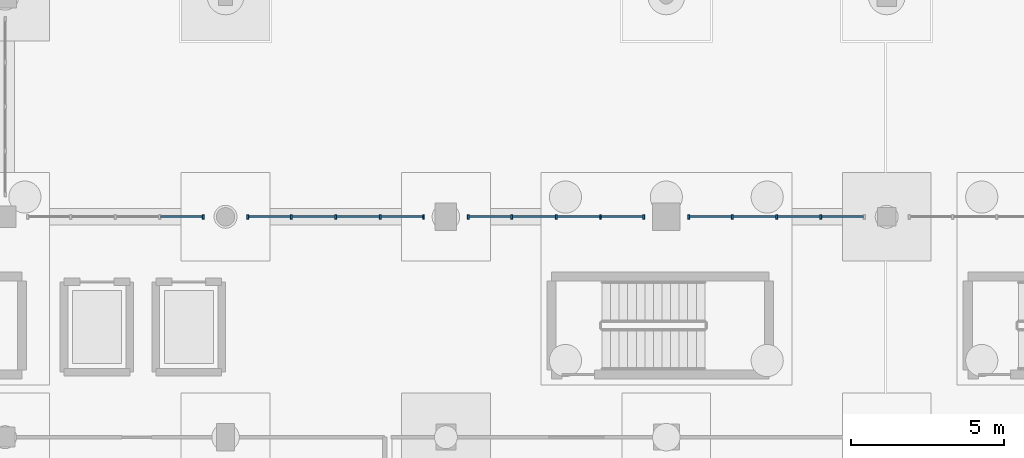
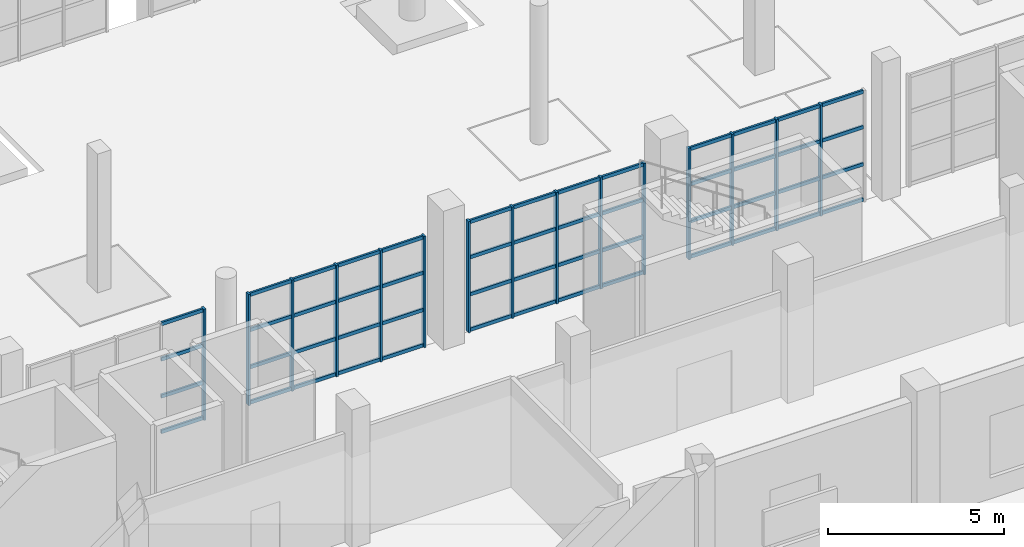
# One storey, part 110 of 285: 67 members, 4 elements without a shape of their own.
"""IFC4 building model written with IfcOpenShell, lengths in metres."""

from ifc_helpers import new_model, si_unit, direction, frame, origin, origin_2d, place, context, subcontext, project, spatial, rectangle, extrude, material, material_profile, profile_set, type_object, element, aggregate, save


model = new_model("IFC4")

# Units and contexts
model_context = context("Model", 3, precision=1e-05, world=origin(), true_north=direction((0.0, 1.0)))
body_context = subcontext(model_context, "Body", "Model", "MODEL_VIEW")
ifc_project = project(units=[si_unit("LENGTHUNIT", "METRE"), si_unit("AREAUNIT", "SQUARE_METRE"), si_unit("VOLUMEUNIT", "CUBIC_METRE"), si_unit("PLANEANGLEUNIT", "RADIAN"), si_unit("MASSUNIT", "GRAM", prefix="KILO")], contexts=[model_context])

# Site, building, storey
site_placement = place(None, origin())
site = spatial("IfcSite", under=ifc_project, at=site_placement, CompositionType="ELEMENT")
building_placement = place(site_placement, origin())
building = spatial("IfcBuilding", under=site, at=building_placement, Name="Solanera Park Tramway Depot", CompositionType="ELEMENT")
storey_placement = place(building_placement, origin())
storey = spatial("IfcBuildingStorey", under=building, at=storey_placement, Name="L00", CompositionType="ELEMENT", Elevation=0.0)

# Curtain wall, member
ifc_material_1 = material(Name="Bronze-anodised thermally broken aluminium curtain wall", Category="aluminium")
curtain_wall_type = type_object("IfcCurtainWallType", Name="Courtyard Cloister Unitised Curtain Wall", PredefinedType="NOTDEFINED", material=ifc_material_1)
curtain_wall_1_placement = place(storey_placement, origin())
curtain_wall_1 = element("IfcCurtainWall", 1, at=curtain_wall_1_placement, inside=storey, type_object=curtain_wall_type, Name="L00 Courtyard Cloister Unitised Curtain Wall #072", PredefinedType="NOTDEFINED")
ifc_material_2 = material(Name="Bronze-anodised structural aluminium 6063-T6", Category="aluminium")
ifc_material_profile_1 = material_profile(ifc_material_2, rectangle(XDim=0.06494140625, YDim=0.14990234375, at=origin_2d()), Name="Curtain Wall Mullion 65x150")
ifc_profile_set_1 = profile_set([ifc_material_profile_1], Name="Bronze-anodised structural aluminium 6063-T6")
member_type_1 = type_object("IfcMemberType", Name="Curtain Wall Mullion 65x150", PredefinedType="MULLION", material=ifc_profile_set_1)
member_1_placement = place(storey_placement, frame((128.867431640625, 25.199951171875, 0.0), z_axis=(0.0, 0.0, 1.0), x_axis=(1.0, 0.0, 0.0)))
member_1 = element("IfcMember", 2, at=member_1_placement, type_object=member_type_1, Name="CW-L00-072 Mullion 5", PredefinedType="MULLION", context=body_context, shape_type="SweptSolid", body=[
    extrude(rectangle(XDim=0.06494140625, YDim=0.14990234375, at=origin_2d()), origin(), (0.0, 0.0, 1.0), 3.85009765625),
])

# Curtain wall, members
curtain_wall_2_placement = place(storey_placement, origin())
curtain_wall_2 = element("IfcCurtainWall", 3, at=curtain_wall_2_placement, inside=storey, type_object=curtain_wall_type, Name="L00 Courtyard Cloister Unitised Curtain Wall #073", PredefinedType="NOTDEFINED")
member_2_placement = place(storey_placement, frame((130.33251953125, 25.199951171875, 0.0), z_axis=(0.0, 0.0, 1.0), x_axis=(1.0, 0.0, 0.0)))
member_2 = element("IfcMember", 4, at=member_2_placement, type_object=member_type_1, Name="CW-L00-073 Mullion 1", PredefinedType="MULLION", context=body_context, shape_type="SweptSolid", body=[
    extrude(rectangle(XDim=0.06494140625, YDim=0.14990234375, at=origin_2d()), origin(), (0.0, 0.0, 1.0), 3.85009765625),
])
member_3_placement = place(storey_placement, frame((131.75, 25.199951171875, 0.0), z_axis=(0.0, 0.0, 1.0), x_axis=(1.0, 0.0, 0.0)))
member_3 = element("IfcMember", 5, at=member_3_placement, type_object=member_type_1, Name="CW-L00-073 Mullion 2", PredefinedType="MULLION", context=body_context, shape_type="SweptSolid", body=[
    extrude(rectangle(XDim=0.06494140625, YDim=0.14990234375, at=origin_2d()), origin(), (0.0, 0.0, 1.0), 3.85009765625),
])
member_4_placement = place(storey_placement, frame((133.199951171875, 25.199951171875, 0.0), z_axis=(0.0, 0.0, 1.0), x_axis=(1.0, 0.0, 0.0)))
member_4 = element("IfcMember", 6, at=member_4_placement, type_object=member_type_1, Name="CW-L00-073 Mullion 3", PredefinedType="MULLION", context=body_context, shape_type="SweptSolid", body=[
    extrude(rectangle(XDim=0.06494140625, YDim=0.14990234375, at=origin_2d()), origin(), (0.0, 0.0, 1.0), 3.85009765625),
])
member_5_placement = place(storey_placement, frame((134.64990234375, 25.199951171875, 0.0), z_axis=(0.0, 0.0, 1.0), x_axis=(1.0, 0.0, 0.0)))
member_5 = element("IfcMember", 7, at=member_5_placement, type_object=member_type_1, Name="CW-L00-073 Mullion 4", PredefinedType="MULLION", context=body_context, shape_type="SweptSolid", body=[
    extrude(rectangle(XDim=0.06494140625, YDim=0.14990234375, at=origin_2d()), origin(), (0.0, 0.0, 1.0), 3.85009765625),
])
member_6_placement = place(storey_placement, frame((136.0673828125, 25.199951171875, 0.0), z_axis=(0.0, 0.0, 1.0), x_axis=(1.0, 0.0, 0.0)))
member_6 = element("IfcMember", 8, at=member_6_placement, type_object=member_type_1, Name="CW-L00-073 Mullion 5", PredefinedType="MULLION", context=body_context, shape_type="SweptSolid", body=[
    extrude(rectangle(XDim=0.06494140625, YDim=0.14990234375, at=origin_2d()), origin(), (0.0, 0.0, 1.0), 3.85009765625),
])

curtain_wall_3_placement = place(storey_placement, origin())
curtain_wall_3 = element("IfcCurtainWall", 9, at=curtain_wall_3_placement, inside=storey, type_object=curtain_wall_type, Name="L00 Courtyard Cloister Unitised Curtain Wall #074", PredefinedType="NOTDEFINED")
member_7_placement = place(storey_placement, frame((137.532470703125, 25.199951171875, 0.0), z_axis=(0.0, 0.0, 1.0), x_axis=(1.0, 0.0, 0.0)))
member_7 = element("IfcMember", 10, at=member_7_placement, type_object=member_type_1, Name="CW-L00-074 Mullion 1", PredefinedType="MULLION", context=body_context, shape_type="SweptSolid", body=[
    extrude(rectangle(XDim=0.06494140625, YDim=0.14990234375, at=origin_2d()), origin(), (0.0, 0.0, 1.0), 3.85009765625),
])
member_8_placement = place(storey_placement, frame((138.949951171875, 25.199951171875, 0.0), z_axis=(0.0, 0.0, 1.0), x_axis=(1.0, 0.0, 0.0)))
member_8 = element("IfcMember", 11, at=member_8_placement, type_object=member_type_1, Name="CW-L00-074 Mullion 2", PredefinedType="MULLION", context=body_context, shape_type="SweptSolid", body=[
    extrude(rectangle(XDim=0.06494140625, YDim=0.14990234375, at=origin_2d()), origin(), (0.0, 0.0, 1.0), 3.85009765625),
])
member_9_placement = place(storey_placement, frame((140.39990234375, 25.199951171875, 0.0), z_axis=(0.0, 0.0, 1.0), x_axis=(1.0, 0.0, 0.0)))
member_9 = element("IfcMember", 12, at=member_9_placement, type_object=member_type_1, Name="CW-L00-074 Mullion 3", PredefinedType="MULLION", context=body_context, shape_type="SweptSolid", body=[
    extrude(rectangle(XDim=0.06494140625, YDim=0.14990234375, at=origin_2d()), origin(), (0.0, 0.0, 1.0), 3.85009765625),
])
member_10_placement = place(storey_placement, frame((141.85009765625, 25.199951171875, 0.0), z_axis=(0.0, 0.0, 1.0), x_axis=(1.0, 0.0, 0.0)))
member_10 = element("IfcMember", 13, at=member_10_placement, type_object=member_type_1, Name="CW-L00-074 Mullion 4", PredefinedType="MULLION", context=body_context, shape_type="SweptSolid", body=[
    extrude(rectangle(XDim=0.06494140625, YDim=0.14990234375, at=origin_2d()), origin(), (0.0, 0.0, 1.0), 3.85009765625),
])
member_11_placement = place(storey_placement, frame((143.267578125, 25.199951171875, 0.0), z_axis=(0.0, 0.0, 1.0), x_axis=(1.0, 0.0, 0.0)))
member_11 = element("IfcMember", 14, at=member_11_placement, type_object=member_type_1, Name="CW-L00-074 Mullion 5", PredefinedType="MULLION", context=body_context, shape_type="SweptSolid", body=[
    extrude(rectangle(XDim=0.06494140625, YDim=0.14990234375, at=origin_2d()), origin(), (0.0, 0.0, 1.0), 3.85009765625),
])

curtain_wall_4_placement = place(storey_placement, origin())
curtain_wall_4 = element("IfcCurtainWall", 15, at=curtain_wall_4_placement, inside=storey, type_object=curtain_wall_type, Name="L00 Courtyard Cloister Unitised Curtain Wall #075", PredefinedType="NOTDEFINED")
member_12_placement = place(storey_placement, frame((144.732421875, 25.199951171875, 0.0), z_axis=(0.0, 0.0, 1.0), x_axis=(1.0, 0.0, 0.0)))
member_12 = element("IfcMember", 16, at=member_12_placement, type_object=member_type_1, Name="CW-L00-075 Mullion 1", PredefinedType="MULLION", context=body_context, shape_type="SweptSolid", body=[
    extrude(rectangle(XDim=0.06494140625, YDim=0.14990234375, at=origin_2d()), origin(), (0.0, 0.0, 1.0), 3.85009765625),
])
member_13_placement = place(storey_placement, frame((146.14990234375, 25.199951171875, 0.0), z_axis=(0.0, 0.0, 1.0), x_axis=(1.0, 0.0, 0.0)))
member_13 = element("IfcMember", 17, at=member_13_placement, type_object=member_type_1, Name="CW-L00-075 Mullion 2", PredefinedType="MULLION", context=body_context, shape_type="SweptSolid", body=[
    extrude(rectangle(XDim=0.06494140625, YDim=0.14990234375, at=origin_2d()), origin(), (0.0, 0.0, 1.0), 3.85009765625),
])
member_14_placement = place(storey_placement, frame((147.60009765625, 25.199951171875, 0.0), z_axis=(0.0, 0.0, 1.0), x_axis=(1.0, 0.0, 0.0)))
member_14 = element("IfcMember", 18, at=member_14_placement, type_object=member_type_1, Name="CW-L00-075 Mullion 3", PredefinedType="MULLION", context=body_context, shape_type="SweptSolid", body=[
    extrude(rectangle(XDim=0.06494140625, YDim=0.14990234375, at=origin_2d()), origin(), (0.0, 0.0, 1.0), 3.85009765625),
])
member_15_placement = place(storey_placement, frame((149.050048828125, 25.199951171875, 0.0), z_axis=(0.0, 0.0, 1.0), x_axis=(1.0, 0.0, 0.0)))
member_15 = element("IfcMember", 19, at=member_15_placement, type_object=member_type_1, Name="CW-L00-075 Mullion 4", PredefinedType="MULLION", context=body_context, shape_type="SweptSolid", body=[
    extrude(rectangle(XDim=0.06494140625, YDim=0.14990234375, at=origin_2d()), origin(), (0.0, 0.0, 1.0), 3.85009765625),
])

# Member
ifc_material_3 = material(Name="Bronze-anodised structural aluminium 6063-T6", Category="aluminium")
ifc_material_profile_2 = material_profile(ifc_material_3, rectangle(XDim=0.06494140625, YDim=0.1201171875, at=origin_2d()), Name="Curtain Wall Transom 65x120")
ifc_profile_set_2 = profile_set([ifc_material_profile_2], Name="Bronze-anodised structural aluminium 6063-T6")
member_type_2 = type_object("IfcMemberType", Name="Curtain Wall Transom 65x120", PredefinedType="USERDEFINED", material=ifc_profile_set_2)
member_16_placement = place(storey_placement, frame((127.47802734375, 25.199951171875, 0.06005859375), z_axis=(1.0, 0.0, 0.0), x_axis=(0.0, 1.0, 0.0)))
member_16 = element("IfcMember", 20, at=member_16_placement, type_object=member_type_2, Name="CW-L00-072 Transom R1.C4", ObjectType="TRANSOM", PredefinedType="USERDEFINED", context=body_context, shape_type="SweptSolid", body=[
    extrude(rectangle(XDim=0.06494140625, YDim=0.1201171875, at=origin_2d()), origin(), (0.0, 0.0, 1.0), 1.361572265625),
])

member_17_placement = place(storey_placement, frame((127.47802734375, 25.199951171875, 1.283203125), z_axis=(1.0, 0.0, 0.0), x_axis=(0.0, 1.0, 0.0)))
member_17 = element("IfcMember", 21, at=member_17_placement, type_object=member_type_2, Name="CW-L00-072 Transom R2.C4", ObjectType="TRANSOM", PredefinedType="USERDEFINED", context=body_context, shape_type="SweptSolid", body=[
    extrude(rectangle(XDim=0.06494140625, YDim=0.1201171875, at=origin_2d()), origin(), (0.0, 0.0, 1.0), 1.361572265625),
])

member_18_placement = place(storey_placement, frame((127.47802734375, 25.199951171875, 2.566650390625), z_axis=(1.0, 0.0, 0.0), x_axis=(0.0, 1.0, 0.0)))
member_18 = element("IfcMember", 22, at=member_18_placement, type_object=member_type_2, Name="CW-L00-072 Transom R3.C4", ObjectType="TRANSOM", PredefinedType="USERDEFINED", context=body_context, shape_type="SweptSolid", body=[
    extrude(rectangle(XDim=0.06494140625, YDim=0.1201171875, at=origin_2d()), origin(), (0.0, 0.0, 1.0), 1.361572265625),
])

member_19_placement = place(storey_placement, frame((127.47802734375, 25.199951171875, 3.7900390625), z_axis=(1.0, 0.0, 0.0), x_axis=(0.0, 1.0, 0.0)))
member_19 = element("IfcMember", 23, at=member_19_placement, type_object=member_type_2, Name="CW-L00-072 Transom R4.C4", ObjectType="TRANSOM", PredefinedType="USERDEFINED", context=body_context, shape_type="SweptSolid", body=[
    extrude(rectangle(XDim=0.06494140625, YDim=0.1201171875, at=origin_2d()), origin(), (0.0, 0.0, 1.0), 1.361572265625),
])

aggregate(curtain_wall_1, [member_1, member_16, member_17, member_18, member_19])

member_20_placement = place(storey_placement, frame((130.360595703125, 25.199951171875, 0.06005859375), z_axis=(1.0, 0.0, 0.0), x_axis=(0.0, 1.0, 0.0)))
member_20 = element("IfcMember", 24, at=member_20_placement, type_object=member_type_2, Name="CW-L00-073 Transom R1.C1", ObjectType="TRANSOM", PredefinedType="USERDEFINED", context=body_context, shape_type="SweptSolid", body=[
    extrude(rectangle(XDim=0.06494140625, YDim=0.1201171875, at=origin_2d()), origin(), (0.0, 0.0, 1.0), 1.361328125),
])

member_21_placement = place(storey_placement, frame((131.778076171875, 25.199951171875, 0.06005859375), z_axis=(1.0, 0.0, 0.0), x_axis=(0.0, 1.0, 0.0)))
member_21 = element("IfcMember", 25, at=member_21_placement, type_object=member_type_2, Name="CW-L00-073 Transom R1.C2", ObjectType="TRANSOM", PredefinedType="USERDEFINED", context=body_context, shape_type="SweptSolid", body=[
    extrude(rectangle(XDim=0.06494140625, YDim=0.1201171875, at=origin_2d()), origin(), (0.0, 0.0, 1.0), 1.39404296875),
])

member_22_placement = place(storey_placement, frame((133.22802734375, 25.199951171875, 0.06005859375), z_axis=(1.0, 0.0, 0.0), x_axis=(0.0, 1.0, 0.0)))
member_22 = element("IfcMember", 26, at=member_22_placement, type_object=member_type_2, Name="CW-L00-073 Transom R1.C3", ObjectType="TRANSOM", PredefinedType="USERDEFINED", context=body_context, shape_type="SweptSolid", body=[
    extrude(rectangle(XDim=0.06494140625, YDim=0.1201171875, at=origin_2d()), origin(), (0.0, 0.0, 1.0), 1.39404296875),
])

member_23_placement = place(storey_placement, frame((134.677978515625, 25.199951171875, 0.06005859375), z_axis=(1.0, 0.0, 0.0), x_axis=(0.0, 1.0, 0.0)))
member_23 = element("IfcMember", 27, at=member_23_placement, type_object=member_type_2, Name="CW-L00-073 Transom R1.C4", ObjectType="TRANSOM", PredefinedType="USERDEFINED", context=body_context, shape_type="SweptSolid", body=[
    extrude(rectangle(XDim=0.06494140625, YDim=0.1201171875, at=origin_2d()), origin(), (0.0, 0.0, 1.0), 1.361572265625),
])

member_24_placement = place(storey_placement, frame((130.360595703125, 25.199951171875, 1.283203125), z_axis=(1.0, 0.0, 0.0), x_axis=(0.0, 1.0, 0.0)))
member_24 = element("IfcMember", 28, at=member_24_placement, type_object=member_type_2, Name="CW-L00-073 Transom R2.C1", ObjectType="TRANSOM", PredefinedType="USERDEFINED", context=body_context, shape_type="SweptSolid", body=[
    extrude(rectangle(XDim=0.06494140625, YDim=0.1201171875, at=origin_2d()), origin(), (0.0, 0.0, 1.0), 1.361328125),
])

member_25_placement = place(storey_placement, frame((131.778076171875, 25.199951171875, 1.283203125), z_axis=(1.0, 0.0, 0.0), x_axis=(0.0, 1.0, 0.0)))
member_25 = element("IfcMember", 29, at=member_25_placement, type_object=member_type_2, Name="CW-L00-073 Transom R2.C2", ObjectType="TRANSOM", PredefinedType="USERDEFINED", context=body_context, shape_type="SweptSolid", body=[
    extrude(rectangle(XDim=0.06494140625, YDim=0.1201171875, at=origin_2d()), origin(), (0.0, 0.0, 1.0), 1.39404296875),
])

member_26_placement = place(storey_placement, frame((133.22802734375, 25.199951171875, 1.283203125), z_axis=(1.0, 0.0, 0.0), x_axis=(0.0, 1.0, 0.0)))
member_26 = element("IfcMember", 30, at=member_26_placement, type_object=member_type_2, Name="CW-L00-073 Transom R2.C3", ObjectType="TRANSOM", PredefinedType="USERDEFINED", context=body_context, shape_type="SweptSolid", body=[
    extrude(rectangle(XDim=0.06494140625, YDim=0.1201171875, at=origin_2d()), origin(), (0.0, 0.0, 1.0), 1.39404296875),
])

member_27_placement = place(storey_placement, frame((134.677978515625, 25.199951171875, 1.283203125), z_axis=(1.0, 0.0, 0.0), x_axis=(0.0, 1.0, 0.0)))
member_27 = element("IfcMember", 31, at=member_27_placement, type_object=member_type_2, Name="CW-L00-073 Transom R2.C4", ObjectType="TRANSOM", PredefinedType="USERDEFINED", context=body_context, shape_type="SweptSolid", body=[
    extrude(rectangle(XDim=0.06494140625, YDim=0.1201171875, at=origin_2d()), origin(), (0.0, 0.0, 1.0), 1.361572265625),
])

member_28_placement = place(storey_placement, frame((130.360595703125, 25.199951171875, 2.566650390625), z_axis=(1.0, 0.0, 0.0), x_axis=(0.0, 1.0, 0.0)))
member_28 = element("IfcMember", 32, at=member_28_placement, type_object=member_type_2, Name="CW-L00-073 Transom R3.C1", ObjectType="TRANSOM", PredefinedType="USERDEFINED", context=body_context, shape_type="SweptSolid", body=[
    extrude(rectangle(XDim=0.06494140625, YDim=0.1201171875, at=origin_2d()), origin(), (0.0, 0.0, 1.0), 1.361328125),
])

member_29_placement = place(storey_placement, frame((131.778076171875, 25.199951171875, 2.566650390625), z_axis=(1.0, 0.0, 0.0), x_axis=(0.0, 1.0, 0.0)))
member_29 = element("IfcMember", 33, at=member_29_placement, type_object=member_type_2, Name="CW-L00-073 Transom R3.C2", ObjectType="TRANSOM", PredefinedType="USERDEFINED", context=body_context, shape_type="SweptSolid", body=[
    extrude(rectangle(XDim=0.06494140625, YDim=0.1201171875, at=origin_2d()), origin(), (0.0, 0.0, 1.0), 1.39404296875),
])

member_30_placement = place(storey_placement, frame((133.22802734375, 25.199951171875, 2.566650390625), z_axis=(1.0, 0.0, 0.0), x_axis=(0.0, 1.0, 0.0)))
member_30 = element("IfcMember", 34, at=member_30_placement, type_object=member_type_2, Name="CW-L00-073 Transom R3.C3", ObjectType="TRANSOM", PredefinedType="USERDEFINED", context=body_context, shape_type="SweptSolid", body=[
    extrude(rectangle(XDim=0.06494140625, YDim=0.1201171875, at=origin_2d()), origin(), (0.0, 0.0, 1.0), 1.39404296875),
])

member_31_placement = place(storey_placement, frame((134.677978515625, 25.199951171875, 2.566650390625), z_axis=(1.0, 0.0, 0.0), x_axis=(0.0, 1.0, 0.0)))
member_31 = element("IfcMember", 35, at=member_31_placement, type_object=member_type_2, Name="CW-L00-073 Transom R3.C4", ObjectType="TRANSOM", PredefinedType="USERDEFINED", context=body_context, shape_type="SweptSolid", body=[
    extrude(rectangle(XDim=0.06494140625, YDim=0.1201171875, at=origin_2d()), origin(), (0.0, 0.0, 1.0), 1.361572265625),
])

member_32_placement = place(storey_placement, frame((130.360595703125, 25.199951171875, 3.7900390625), z_axis=(1.0, 0.0, 0.0), x_axis=(0.0, 1.0, 0.0)))
member_32 = element("IfcMember", 36, at=member_32_placement, type_object=member_type_2, Name="CW-L00-073 Transom R4.C1", ObjectType="TRANSOM", PredefinedType="USERDEFINED", context=body_context, shape_type="SweptSolid", body=[
    extrude(rectangle(XDim=0.06494140625, YDim=0.1201171875, at=origin_2d()), origin(), (0.0, 0.0, 1.0), 1.361328125),
])

member_33_placement = place(storey_placement, frame((131.778076171875, 25.199951171875, 3.7900390625), z_axis=(1.0, 0.0, 0.0), x_axis=(0.0, 1.0, 0.0)))
member_33 = element("IfcMember", 37, at=member_33_placement, type_object=member_type_2, Name="CW-L00-073 Transom R4.C2", ObjectType="TRANSOM", PredefinedType="USERDEFINED", context=body_context, shape_type="SweptSolid", body=[
    extrude(rectangle(XDim=0.06494140625, YDim=0.1201171875, at=origin_2d()), origin(), (0.0, 0.0, 1.0), 1.39404296875),
])

member_34_placement = place(storey_placement, frame((133.22802734375, 25.199951171875, 3.7900390625), z_axis=(1.0, 0.0, 0.0), x_axis=(0.0, 1.0, 0.0)))
member_34 = element("IfcMember", 38, at=member_34_placement, type_object=member_type_2, Name="CW-L00-073 Transom R4.C3", ObjectType="TRANSOM", PredefinedType="USERDEFINED", context=body_context, shape_type="SweptSolid", body=[
    extrude(rectangle(XDim=0.06494140625, YDim=0.1201171875, at=origin_2d()), origin(), (0.0, 0.0, 1.0), 1.39404296875),
])

member_35_placement = place(storey_placement, frame((134.677978515625, 25.199951171875, 3.7900390625), z_axis=(1.0, 0.0, 0.0), x_axis=(0.0, 1.0, 0.0)))
member_35 = element("IfcMember", 39, at=member_35_placement, type_object=member_type_2, Name="CW-L00-073 Transom R4.C4", ObjectType="TRANSOM", PredefinedType="USERDEFINED", context=body_context, shape_type="SweptSolid", body=[
    extrude(rectangle(XDim=0.06494140625, YDim=0.1201171875, at=origin_2d()), origin(), (0.0, 0.0, 1.0), 1.361572265625),
])

aggregate(curtain_wall_2, [member_2, member_3, member_4, member_5, member_6, member_20, member_21, member_22, member_23, member_24, member_25, member_26, member_27, member_28, member_29, member_30, member_31, member_32, member_33, member_34, member_35])

member_36_placement = place(storey_placement, frame((137.560546875, 25.199951171875, 0.06005859375), z_axis=(1.0, 0.0, 0.0), x_axis=(0.0, 1.0, 0.0)))
member_36 = element("IfcMember", 40, at=member_36_placement, type_object=member_type_2, Name="CW-L00-074 Transom R1.C1", ObjectType="TRANSOM", PredefinedType="USERDEFINED", context=body_context, shape_type="SweptSolid", body=[
    extrude(rectangle(XDim=0.06494140625, YDim=0.1201171875, at=origin_2d()), origin(), (0.0, 0.0, 1.0), 1.361572265625),
])

member_37_placement = place(storey_placement, frame((138.97802734375, 25.199951171875, 0.06005859375), z_axis=(1.0, 0.0, 0.0), x_axis=(0.0, 1.0, 0.0)))
member_37 = element("IfcMember", 41, at=member_37_placement, type_object=member_type_2, Name="CW-L00-074 Transom R1.C2", ObjectType="TRANSOM", PredefinedType="USERDEFINED", context=body_context, shape_type="SweptSolid", body=[
    extrude(rectangle(XDim=0.06494140625, YDim=0.1201171875, at=origin_2d()), origin(), (0.0, 0.0, 1.0), 1.39404296875),
])

member_38_placement = place(storey_placement, frame((140.427978515625, 25.199951171875, 0.06005859375), z_axis=(1.0, 0.0, 0.0), x_axis=(0.0, 1.0, 0.0)))
member_38 = element("IfcMember", 42, at=member_38_placement, type_object=member_type_2, Name="CW-L00-074 Transom R1.C3", ObjectType="TRANSOM", PredefinedType="USERDEFINED", context=body_context, shape_type="SweptSolid", body=[
    extrude(rectangle(XDim=0.06494140625, YDim=0.1201171875, at=origin_2d()), origin(), (0.0, 0.0, 1.0), 1.39404296875),
])

member_39_placement = place(storey_placement, frame((141.8779296875, 25.199951171875, 0.06005859375), z_axis=(1.0, 0.0, 0.0), x_axis=(0.0, 1.0, 0.0)))
member_39 = element("IfcMember", 43, at=member_39_placement, type_object=member_type_2, Name="CW-L00-074 Transom R1.C4", ObjectType="TRANSOM", PredefinedType="USERDEFINED", context=body_context, shape_type="SweptSolid", body=[
    extrude(rectangle(XDim=0.06494140625, YDim=0.1201171875, at=origin_2d()), origin(), (0.0, 0.0, 1.0), 1.361572265625),
])

member_40_placement = place(storey_placement, frame((137.560546875, 25.199951171875, 1.283203125), z_axis=(1.0, 0.0, 0.0), x_axis=(0.0, 1.0, 0.0)))
member_40 = element("IfcMember", 44, at=member_40_placement, type_object=member_type_2, Name="CW-L00-074 Transom R2.C1", ObjectType="TRANSOM", PredefinedType="USERDEFINED", context=body_context, shape_type="SweptSolid", body=[
    extrude(rectangle(XDim=0.06494140625, YDim=0.1201171875, at=origin_2d()), origin(), (0.0, 0.0, 1.0), 1.361572265625),
])

member_41_placement = place(storey_placement, frame((138.97802734375, 25.199951171875, 1.283203125), z_axis=(1.0, 0.0, 0.0), x_axis=(0.0, 1.0, 0.0)))
member_41 = element("IfcMember", 45, at=member_41_placement, type_object=member_type_2, Name="CW-L00-074 Transom R2.C2", ObjectType="TRANSOM", PredefinedType="USERDEFINED", context=body_context, shape_type="SweptSolid", body=[
    extrude(rectangle(XDim=0.06494140625, YDim=0.1201171875, at=origin_2d()), origin(), (0.0, 0.0, 1.0), 1.39404296875),
])

member_42_placement = place(storey_placement, frame((140.427978515625, 25.199951171875, 1.283203125), z_axis=(1.0, 0.0, 0.0), x_axis=(0.0, 1.0, 0.0)))
member_42 = element("IfcMember", 46, at=member_42_placement, type_object=member_type_2, Name="CW-L00-074 Transom R2.C3", ObjectType="TRANSOM", PredefinedType="USERDEFINED", context=body_context, shape_type="SweptSolid", body=[
    extrude(rectangle(XDim=0.06494140625, YDim=0.1201171875, at=origin_2d()), origin(), (0.0, 0.0, 1.0), 1.39404296875),
])

member_43_placement = place(storey_placement, frame((141.8779296875, 25.199951171875, 1.283203125), z_axis=(1.0, 0.0, 0.0), x_axis=(0.0, 1.0, 0.0)))
member_43 = element("IfcMember", 47, at=member_43_placement, type_object=member_type_2, Name="CW-L00-074 Transom R2.C4", ObjectType="TRANSOM", PredefinedType="USERDEFINED", context=body_context, shape_type="SweptSolid", body=[
    extrude(rectangle(XDim=0.06494140625, YDim=0.1201171875, at=origin_2d()), origin(), (0.0, 0.0, 1.0), 1.361572265625),
])

member_44_placement = place(storey_placement, frame((137.560546875, 25.199951171875, 2.566650390625), z_axis=(1.0, 0.0, 0.0), x_axis=(0.0, 1.0, 0.0)))
member_44 = element("IfcMember", 48, at=member_44_placement, type_object=member_type_2, Name="CW-L00-074 Transom R3.C1", ObjectType="TRANSOM", PredefinedType="USERDEFINED", context=body_context, shape_type="SweptSolid", body=[
    extrude(rectangle(XDim=0.06494140625, YDim=0.1201171875, at=origin_2d()), origin(), (0.0, 0.0, 1.0), 1.361572265625),
])

member_45_placement = place(storey_placement, frame((138.97802734375, 25.199951171875, 2.566650390625), z_axis=(1.0, 0.0, 0.0), x_axis=(0.0, 1.0, 0.0)))
member_45 = element("IfcMember", 49, at=member_45_placement, type_object=member_type_2, Name="CW-L00-074 Transom R3.C2", ObjectType="TRANSOM", PredefinedType="USERDEFINED", context=body_context, shape_type="SweptSolid", body=[
    extrude(rectangle(XDim=0.06494140625, YDim=0.1201171875, at=origin_2d()), origin(), (0.0, 0.0, 1.0), 1.39404296875),
])

member_46_placement = place(storey_placement, frame((140.427978515625, 25.199951171875, 2.566650390625), z_axis=(1.0, 0.0, 0.0), x_axis=(0.0, 1.0, 0.0)))
member_46 = element("IfcMember", 50, at=member_46_placement, type_object=member_type_2, Name="CW-L00-074 Transom R3.C3", ObjectType="TRANSOM", PredefinedType="USERDEFINED", context=body_context, shape_type="SweptSolid", body=[
    extrude(rectangle(XDim=0.06494140625, YDim=0.1201171875, at=origin_2d()), origin(), (0.0, 0.0, 1.0), 1.39404296875),
])

member_47_placement = place(storey_placement, frame((141.8779296875, 25.199951171875, 2.566650390625), z_axis=(1.0, 0.0, 0.0), x_axis=(0.0, 1.0, 0.0)))
member_47 = element("IfcMember", 51, at=member_47_placement, type_object=member_type_2, Name="CW-L00-074 Transom R3.C4", ObjectType="TRANSOM", PredefinedType="USERDEFINED", context=body_context, shape_type="SweptSolid", body=[
    extrude(rectangle(XDim=0.06494140625, YDim=0.1201171875, at=origin_2d()), origin(), (0.0, 0.0, 1.0), 1.361572265625),
])

member_48_placement = place(storey_placement, frame((137.560546875, 25.199951171875, 3.7900390625), z_axis=(1.0, 0.0, 0.0), x_axis=(0.0, 1.0, 0.0)))
member_48 = element("IfcMember", 52, at=member_48_placement, type_object=member_type_2, Name="CW-L00-074 Transom R4.C1", ObjectType="TRANSOM", PredefinedType="USERDEFINED", context=body_context, shape_type="SweptSolid", body=[
    extrude(rectangle(XDim=0.06494140625, YDim=0.1201171875, at=origin_2d()), origin(), (0.0, 0.0, 1.0), 1.361572265625),
])

member_49_placement = place(storey_placement, frame((138.97802734375, 25.199951171875, 3.7900390625), z_axis=(1.0, 0.0, 0.0), x_axis=(0.0, 1.0, 0.0)))
member_49 = element("IfcMember", 53, at=member_49_placement, type_object=member_type_2, Name="CW-L00-074 Transom R4.C2", ObjectType="TRANSOM", PredefinedType="USERDEFINED", context=body_context, shape_type="SweptSolid", body=[
    extrude(rectangle(XDim=0.06494140625, YDim=0.1201171875, at=origin_2d()), origin(), (0.0, 0.0, 1.0), 1.39404296875),
])

member_50_placement = place(storey_placement, frame((140.427978515625, 25.199951171875, 3.7900390625), z_axis=(1.0, 0.0, 0.0), x_axis=(0.0, 1.0, 0.0)))
member_50 = element("IfcMember", 54, at=member_50_placement, type_object=member_type_2, Name="CW-L00-074 Transom R4.C3", ObjectType="TRANSOM", PredefinedType="USERDEFINED", context=body_context, shape_type="SweptSolid", body=[
    extrude(rectangle(XDim=0.06494140625, YDim=0.1201171875, at=origin_2d()), origin(), (0.0, 0.0, 1.0), 1.39404296875),
])

member_51_placement = place(storey_placement, frame((141.8779296875, 25.199951171875, 3.7900390625), z_axis=(1.0, 0.0, 0.0), x_axis=(0.0, 1.0, 0.0)))
member_51 = element("IfcMember", 55, at=member_51_placement, type_object=member_type_2, Name="CW-L00-074 Transom R4.C4", ObjectType="TRANSOM", PredefinedType="USERDEFINED", context=body_context, shape_type="SweptSolid", body=[
    extrude(rectangle(XDim=0.06494140625, YDim=0.1201171875, at=origin_2d()), origin(), (0.0, 0.0, 1.0), 1.361572265625),
])

aggregate(curtain_wall_3, [member_7, member_8, member_9, member_10, member_11, member_36, member_37, member_38, member_39, member_40, member_41, member_42, member_43, member_44, member_45, member_46, member_47, member_48, member_49, member_50, member_51])

member_52_placement = place(storey_placement, frame((144.760498046875, 25.199951171875, 0.06005859375), z_axis=(1.0, 0.0, 0.0), x_axis=(0.0, 1.0, 0.0)))
member_52 = element("IfcMember", 56, at=member_52_placement, type_object=member_type_2, Name="CW-L00-075 Transom R1.C1", ObjectType="TRANSOM", PredefinedType="USERDEFINED", context=body_context, shape_type="SweptSolid", body=[
    extrude(rectangle(XDim=0.06494140625, YDim=0.1201171875, at=origin_2d()), origin(), (0.0, 0.0, 1.0), 1.361572265625),
])

member_53_placement = place(storey_placement, frame((146.177978515625, 25.199951171875, 0.06005859375), z_axis=(1.0, 0.0, 0.0), x_axis=(0.0, 1.0, 0.0)))
member_53 = element("IfcMember", 57, at=member_53_placement, type_object=member_type_2, Name="CW-L00-075 Transom R1.C2", ObjectType="TRANSOM", PredefinedType="USERDEFINED", context=body_context, shape_type="SweptSolid", body=[
    extrude(rectangle(XDim=0.06494140625, YDim=0.1201171875, at=origin_2d()), origin(), (0.0, 0.0, 1.0), 1.39404296875),
])

member_54_placement = place(storey_placement, frame((147.6279296875, 25.199951171875, 0.06005859375), z_axis=(1.0, 0.0, 0.0), x_axis=(0.0, 1.0, 0.0)))
member_54 = element("IfcMember", 58, at=member_54_placement, type_object=member_type_2, Name="CW-L00-075 Transom R1.C3", ObjectType="TRANSOM", PredefinedType="USERDEFINED", context=body_context, shape_type="SweptSolid", body=[
    extrude(rectangle(XDim=0.06494140625, YDim=0.1201171875, at=origin_2d()), origin(), (0.0, 0.0, 1.0), 1.39404296875),
])

member_55_placement = place(storey_placement, frame((149.077880859375, 25.199951171875, 0.06005859375), z_axis=(1.0, 0.0, 0.0), x_axis=(0.0, 1.0, 0.0)))
member_55 = element("IfcMember", 59, at=member_55_placement, type_object=member_type_2, Name="CW-L00-075 Transom R1.C4", ObjectType="TRANSOM", PredefinedType="USERDEFINED", context=body_context, shape_type="SweptSolid", body=[
    extrude(rectangle(XDim=0.06494140625, YDim=0.1201171875, at=origin_2d()), origin(), (0.0, 0.0, 1.0), 1.361572265625),
])

member_56_placement = place(storey_placement, frame((144.760498046875, 25.199951171875, 1.283203125), z_axis=(1.0, 0.0, 0.0), x_axis=(0.0, 1.0, 0.0)))
member_56 = element("IfcMember", 60, at=member_56_placement, type_object=member_type_2, Name="CW-L00-075 Transom R2.C1", ObjectType="TRANSOM", PredefinedType="USERDEFINED", context=body_context, shape_type="SweptSolid", body=[
    extrude(rectangle(XDim=0.06494140625, YDim=0.1201171875, at=origin_2d()), origin(), (0.0, 0.0, 1.0), 1.361572265625),
])

member_57_placement = place(storey_placement, frame((146.177978515625, 25.199951171875, 1.283203125), z_axis=(1.0, 0.0, 0.0), x_axis=(0.0, 1.0, 0.0)))
member_57 = element("IfcMember", 61, at=member_57_placement, type_object=member_type_2, Name="CW-L00-075 Transom R2.C2", ObjectType="TRANSOM", PredefinedType="USERDEFINED", context=body_context, shape_type="SweptSolid", body=[
    extrude(rectangle(XDim=0.06494140625, YDim=0.1201171875, at=origin_2d()), origin(), (0.0, 0.0, 1.0), 1.39404296875),
])

member_58_placement = place(storey_placement, frame((147.6279296875, 25.199951171875, 1.283203125), z_axis=(1.0, 0.0, 0.0), x_axis=(0.0, 1.0, 0.0)))
member_58 = element("IfcMember", 62, at=member_58_placement, type_object=member_type_2, Name="CW-L00-075 Transom R2.C3", ObjectType="TRANSOM", PredefinedType="USERDEFINED", context=body_context, shape_type="SweptSolid", body=[
    extrude(rectangle(XDim=0.06494140625, YDim=0.1201171875, at=origin_2d()), origin(), (0.0, 0.0, 1.0), 1.39404296875),
])

member_59_placement = place(storey_placement, frame((149.077880859375, 25.199951171875, 1.283203125), z_axis=(1.0, 0.0, 0.0), x_axis=(0.0, 1.0, 0.0)))
member_59 = element("IfcMember", 63, at=member_59_placement, type_object=member_type_2, Name="CW-L00-075 Transom R2.C4", ObjectType="TRANSOM", PredefinedType="USERDEFINED", context=body_context, shape_type="SweptSolid", body=[
    extrude(rectangle(XDim=0.06494140625, YDim=0.1201171875, at=origin_2d()), origin(), (0.0, 0.0, 1.0), 1.361572265625),
])

member_60_placement = place(storey_placement, frame((144.760498046875, 25.199951171875, 2.566650390625), z_axis=(1.0, 0.0, 0.0), x_axis=(0.0, 1.0, 0.0)))
member_60 = element("IfcMember", 64, at=member_60_placement, type_object=member_type_2, Name="CW-L00-075 Transom R3.C1", ObjectType="TRANSOM", PredefinedType="USERDEFINED", context=body_context, shape_type="SweptSolid", body=[
    extrude(rectangle(XDim=0.06494140625, YDim=0.1201171875, at=origin_2d()), origin(), (0.0, 0.0, 1.0), 1.361572265625),
])

member_61_placement = place(storey_placement, frame((146.177978515625, 25.199951171875, 2.566650390625), z_axis=(1.0, 0.0, 0.0), x_axis=(0.0, 1.0, 0.0)))
member_61 = element("IfcMember", 65, at=member_61_placement, type_object=member_type_2, Name="CW-L00-075 Transom R3.C2", ObjectType="TRANSOM", PredefinedType="USERDEFINED", context=body_context, shape_type="SweptSolid", body=[
    extrude(rectangle(XDim=0.06494140625, YDim=0.1201171875, at=origin_2d()), origin(), (0.0, 0.0, 1.0), 1.39404296875),
])

member_62_placement = place(storey_placement, frame((147.6279296875, 25.199951171875, 2.566650390625), z_axis=(1.0, 0.0, 0.0), x_axis=(0.0, 1.0, 0.0)))
member_62 = element("IfcMember", 66, at=member_62_placement, type_object=member_type_2, Name="CW-L00-075 Transom R3.C3", ObjectType="TRANSOM", PredefinedType="USERDEFINED", context=body_context, shape_type="SweptSolid", body=[
    extrude(rectangle(XDim=0.06494140625, YDim=0.1201171875, at=origin_2d()), origin(), (0.0, 0.0, 1.0), 1.39404296875),
])

member_63_placement = place(storey_placement, frame((149.077880859375, 25.199951171875, 2.566650390625), z_axis=(1.0, 0.0, 0.0), x_axis=(0.0, 1.0, 0.0)))
member_63 = element("IfcMember", 67, at=member_63_placement, type_object=member_type_2, Name="CW-L00-075 Transom R3.C4", ObjectType="TRANSOM", PredefinedType="USERDEFINED", context=body_context, shape_type="SweptSolid", body=[
    extrude(rectangle(XDim=0.06494140625, YDim=0.1201171875, at=origin_2d()), origin(), (0.0, 0.0, 1.0), 1.361572265625),
])

member_64_placement = place(storey_placement, frame((144.760498046875, 25.199951171875, 3.7900390625), z_axis=(1.0, 0.0, 0.0), x_axis=(0.0, 1.0, 0.0)))
member_64 = element("IfcMember", 68, at=member_64_placement, type_object=member_type_2, Name="CW-L00-075 Transom R4.C1", ObjectType="TRANSOM", PredefinedType="USERDEFINED", context=body_context, shape_type="SweptSolid", body=[
    extrude(rectangle(XDim=0.06494140625, YDim=0.1201171875, at=origin_2d()), origin(), (0.0, 0.0, 1.0), 1.361572265625),
])

member_65_placement = place(storey_placement, frame((146.177978515625, 25.199951171875, 3.7900390625), z_axis=(1.0, 0.0, 0.0), x_axis=(0.0, 1.0, 0.0)))
member_65 = element("IfcMember", 69, at=member_65_placement, type_object=member_type_2, Name="CW-L00-075 Transom R4.C2", ObjectType="TRANSOM", PredefinedType="USERDEFINED", context=body_context, shape_type="SweptSolid", body=[
    extrude(rectangle(XDim=0.06494140625, YDim=0.1201171875, at=origin_2d()), origin(), (0.0, 0.0, 1.0), 1.39404296875),
])

member_66_placement = place(storey_placement, frame((147.6279296875, 25.199951171875, 3.7900390625), z_axis=(1.0, 0.0, 0.0), x_axis=(0.0, 1.0, 0.0)))
member_66 = element("IfcMember", 70, at=member_66_placement, type_object=member_type_2, Name="CW-L00-075 Transom R4.C3", ObjectType="TRANSOM", PredefinedType="USERDEFINED", context=body_context, shape_type="SweptSolid", body=[
    extrude(rectangle(XDim=0.06494140625, YDim=0.1201171875, at=origin_2d()), origin(), (0.0, 0.0, 1.0), 1.39404296875),
])

member_67_placement = place(storey_placement, frame((149.077880859375, 25.199951171875, 3.7900390625), z_axis=(1.0, 0.0, 0.0), x_axis=(0.0, 1.0, 0.0)))
member_67 = element("IfcMember", 71, at=member_67_placement, type_object=member_type_2, Name="CW-L00-075 Transom R4.C4", ObjectType="TRANSOM", PredefinedType="USERDEFINED", context=body_context, shape_type="SweptSolid", body=[
    extrude(rectangle(XDim=0.06494140625, YDim=0.1201171875, at=origin_2d()), origin(), (0.0, 0.0, 1.0), 1.361572265625),
])

aggregate(curtain_wall_4, [member_12, member_13, member_14, member_15, member_52, member_53, member_54, member_55, member_56, member_57, member_58, member_59, member_60, member_61, member_62, member_63, member_64, member_65, member_66, member_67])

save(model, "model.ifc")
